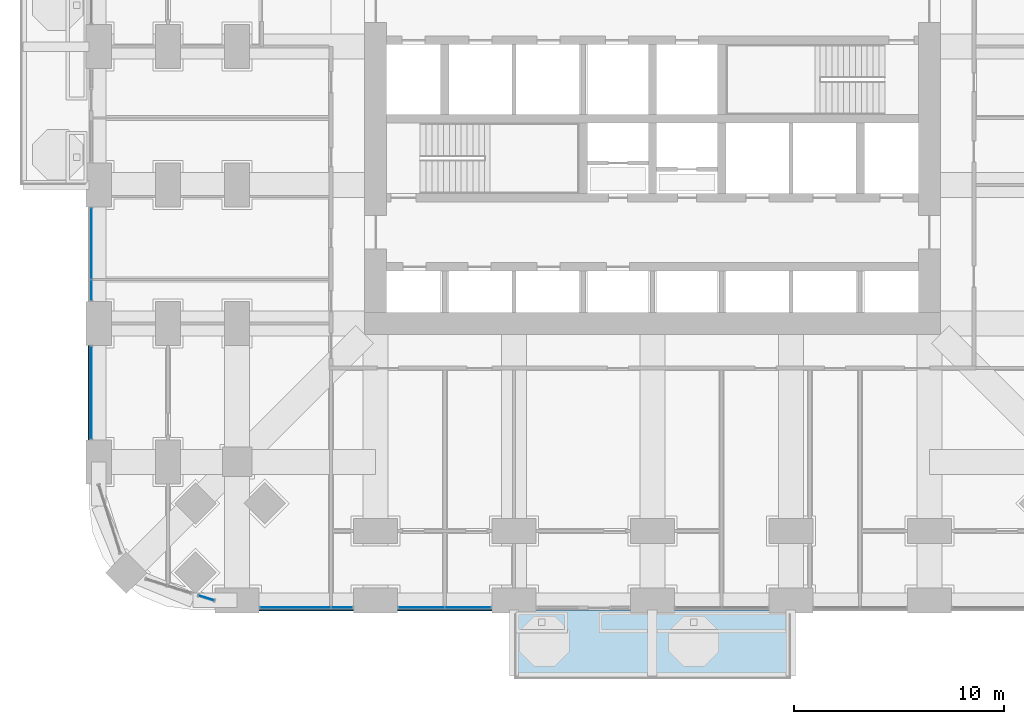
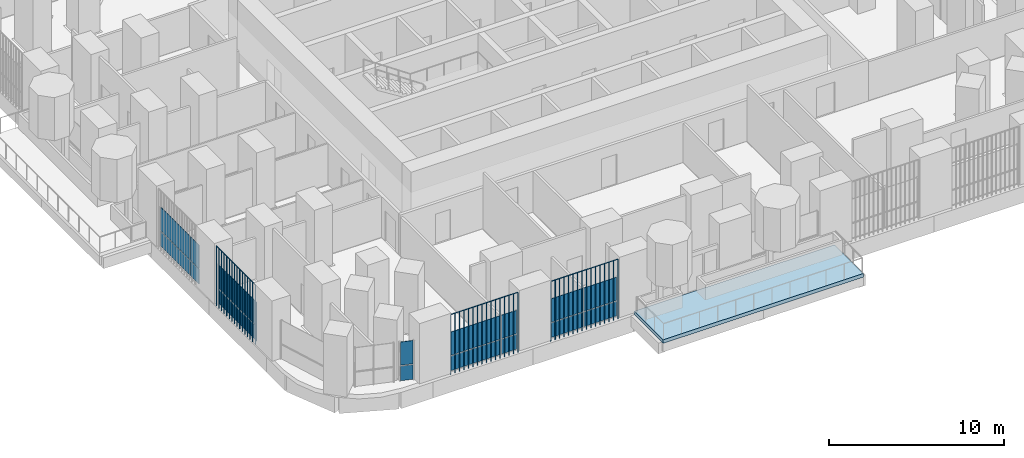
# One storey, part 11 of 26: 19 plates, 1 slab, 5 elements without a shape of their own.
"""IFC4 building model written with IfcOpenShell, lengths in metres."""

from ifc_helpers import new_model, si_unit, direction, frame, origin, origin_2d, place, context, subcontext, project, spatial, polyline, rectangle, outline, extrude, material, layer, layer_set, type_object, element, aggregate, save


model = new_model("IFC4")

# Units and contexts
model_context = context("Model", 3, precision=1e-05, world=origin(), true_north=direction((0.0, 1.0)))
body_context = subcontext(model_context, "Body", "Model", "MODEL_VIEW")
ifc_project = project(units=[si_unit("LENGTHUNIT", "METRE"), si_unit("AREAUNIT", "SQUARE_METRE"), si_unit("VOLUMEUNIT", "CUBIC_METRE"), si_unit("PLANEANGLEUNIT", "RADIAN"), si_unit("MASSUNIT", "GRAM", prefix="KILO")], contexts=[model_context])

# Site, building, storey
site_placement = place(None, origin())
site = spatial("IfcSite", under=ifc_project, at=site_placement, CompositionType="ELEMENT")
building_placement = place(site_placement, origin())
building = spatial("IfcBuilding", under=site, at=building_placement, Name="Cobogo Forest Laboratory Tower", CompositionType="ELEMENT")
storey_placement = place(building_placement, frame((0.0, 0.0, 42.300048828125)))
storey = spatial("IfcBuildingStorey", under=building, at=storey_placement, Name="L09", CompositionType="ELEMENT", Elevation=42.300048828125)

# Slab
ifc_material_1 = material(Name="Concrete HA-40 (C40/50)", Category="concrete")
ifc_layer_1 = layer(ifc_material_1, 0.25)
ifc_layer_set_1 = layer_set([ifc_layer_1], Name="Balcony slab 250")
slab_type = type_object("IfcSlabType", Name="Balcony slab 250", PredefinedType="FLOOR", material=ifc_layer_set_1)
slab_placement = place(storey_placement, frame((0.0, 0.0, -0.25)))
element("IfcSlab", 1, at=slab_placement, inside=storey, type_object=slab_type, Name="Balcony BAL-S1 L09", PredefinedType="FLOOR", context=body_context, shape_type="SweptSolid", body=[
    extrude(outline(polyline([(19.800048828125, -3.75), (33.0, -3.75), (33.0, -0.449951171875), (19.800048828125, -0.449951171875), (19.800048828125, -3.75)])), origin(), (0.0, 0.0, 1.0), 0.25),
])

# Curtain wall, plates
ifc_material_2 = material(Name="Aluminium curtain wall", Category="aluminium")
curtain_wall_type = type_object("IfcCurtainWallType", Name="CW-1 unitised curtain wall, clear glazing, laboratory floors zones A and B", PredefinedType="USERDEFINED", material=ifc_material_2)
curtain_wall_1_placement = place(storey_placement, origin())
curtain_wall_1 = element("IfcCurtainWall", 2, at=curtain_wall_1_placement, inside=storey, type_object=curtain_wall_type, Name="Curtain wall 01 L09", ObjectType="UNITISED CURTAIN WALL", PredefinedType="USERDEFINED")
ifc_material_3 = material(Name="Clear insulated glass", Category="glass")
ifc_layer_2 = layer(ifc_material_3, 0.028076171875)
ifc_layer_set_2 = layer_set([ifc_layer_2], Name="GP-1 clear insulated glass unit 28")
plate_type_1 = type_object("IfcPlateType", Name="GP-1 clear insulated glass unit 28", PredefinedType="CURTAIN_PANEL", material=ifc_layer_set_2)
plate_1_placement = place(storey_placement, frame((9.37744140625, -0.35009765625, 0.0), z_axis=(0.0, 0.0, 1.0), x_axis=(1.0, 0.0, 0.0)))
plate_1 = element("IfcPlate", 3, at=plate_1_placement, type_object=plate_type_1, Name="CW-1 panel 1.1", PredefinedType="CURTAIN_PANEL", context=body_context, shape_type="SweptSolid", body=[
    extrude(rectangle(XDim=3.3349609375, YDim=0.028076171875, at=origin_2d()), origin(), (0.0, 0.0, 1.0), 1.02001953125),
])
plate_2_placement = place(storey_placement, frame((9.37744140625, -0.35009765625, 1.079833984375), z_axis=(0.0, 0.0, 1.0), x_axis=(1.0, 0.0, 0.0)))
plate_2 = element("IfcPlate", 4, at=plate_2_placement, type_object=plate_type_1, Name="CW-1 panel 1.2", PredefinedType="CURTAIN_PANEL", context=body_context, shape_type="SweptSolid", body=[
    extrude(rectangle(XDim=3.3349609375, YDim=0.028076171875, at=origin_2d()), origin(), (0.0, 0.0, 1.0), 1.6201171875),
])
plate_3_placement = place(storey_placement, frame((11.597412109375, -0.35009765625, 0.0), z_axis=(0.0, 0.0, 1.0), x_axis=(1.0, 0.0, 0.0)))
plate_3 = element("IfcPlate", 5, at=plate_3_placement, type_object=plate_type_1, Name="CW-1 panel 2.1", PredefinedType="CURTAIN_PANEL", context=body_context, shape_type="SweptSolid", body=[
    extrude(rectangle(XDim=0.985107421875, YDim=0.028076171875, at=origin_2d()), origin(), (0.0, 0.0, 1.0), 1.02001953125),
])
plate_4_placement = place(storey_placement, frame((11.597412109375, -0.35009765625, 1.079833984375), z_axis=(0.0, 0.0, 1.0), x_axis=(1.0, 0.0, 0.0)))
plate_4 = element("IfcPlate", 6, at=plate_4_placement, type_object=plate_type_1, Name="CW-1 panel 2.2", PredefinedType="CURTAIN_PANEL", context=body_context, shape_type="SweptSolid", body=[
    extrude(rectangle(XDim=0.985107421875, YDim=0.028076171875, at=origin_2d()), origin(), (0.0, 0.0, 1.0), 1.6201171875),
])
aggregate(curtain_wall_1, [plate_1, plate_2, plate_3, plate_4])

curtain_wall_2_placement = place(storey_placement, origin())
curtain_wall_2 = element("IfcCurtainWall", 7, at=curtain_wall_2_placement, inside=storey, type_object=curtain_wall_type, Name="Curtain wall 02 L09", ObjectType="UNITISED CURTAIN WALL", PredefinedType="USERDEFINED")
plate_5_placement = place(storey_placement, frame((15.389892578125, -0.35009765625, 0.0), z_axis=(0.0, 0.0, 1.0), x_axis=(1.0, 0.0, 0.0)))
plate_5 = element("IfcPlate", 8, at=plate_5_placement, type_object=plate_type_1, Name="CW-1 panel 1.1", PredefinedType="CURTAIN_PANEL", context=body_context, shape_type="SweptSolid", body=[
    extrude(rectangle(XDim=2.159912109375, YDim=0.028076171875, at=origin_2d()), origin(), (0.0, 0.0, 1.0), 1.02001953125),
])
plate_6_placement = place(storey_placement, frame((15.389892578125, -0.35009765625, 1.079833984375), z_axis=(0.0, 0.0, 1.0), x_axis=(1.0, 0.0, 0.0)))
plate_6 = element("IfcPlate", 9, at=plate_6_placement, type_object=plate_type_1, Name="CW-1 panel 1.2", PredefinedType="CURTAIN_PANEL", context=body_context, shape_type="SweptSolid", body=[
    extrude(rectangle(XDim=2.159912109375, YDim=0.028076171875, at=origin_2d()), origin(), (0.0, 0.0, 1.0), 1.6201171875),
])
plate_7_placement = place(storey_placement, frame((17.610107421875, -0.35009765625, 0.0), z_axis=(0.0, 0.0, 1.0), x_axis=(1.0, 0.0, 0.0)))
plate_7 = element("IfcPlate", 10, at=plate_7_placement, type_object=plate_type_1, Name="CW-1 panel 2.1", PredefinedType="CURTAIN_PANEL", context=body_context, shape_type="SweptSolid", body=[
    extrude(rectangle(XDim=2.159912109375, YDim=0.028076171875, at=origin_2d()), origin(), (0.0, 0.0, 1.0), 1.02001953125),
])
plate_8_placement = place(storey_placement, frame((17.610107421875, -0.35009765625, 1.079833984375), z_axis=(0.0, 0.0, 1.0), x_axis=(1.0, 0.0, 0.0)))
plate_8 = element("IfcPlate", 11, at=plate_8_placement, type_object=plate_type_1, Name="CW-1 panel 2.2", PredefinedType="CURTAIN_PANEL", context=body_context, shape_type="SweptSolid", body=[
    extrude(rectangle(XDim=2.159912109375, YDim=0.028076171875, at=origin_2d()), origin(), (0.0, 0.0, 1.0), 1.6201171875),
])
aggregate(curtain_wall_2, [plate_5, plate_6, plate_7, plate_8])

curtain_wall_3_placement = place(storey_placement, origin())
curtain_wall_3 = element("IfcCurtainWall", 12, at=curtain_wall_3_placement, inside=storey, type_object=curtain_wall_type, Name="Curtain wall 30 L09", ObjectType="UNITISED CURTAIN WALL", PredefinedType="USERDEFINED")
plate_9_placement = place(storey_placement, frame((-0.35009765625, 17.010009765625, 0.0), z_axis=(0.0, 0.0, 1.0), x_axis=(0.0, -1.0, 0.0)))
plate_9 = element("IfcPlate", 13, at=plate_9_placement, type_object=plate_type_1, Name="CW-1 panel 1.1", PredefinedType="CURTAIN_PANEL", context=body_context, shape_type="SweptSolid", body=[
    extrude(rectangle(XDim=3.360107421875, YDim=0.028076171875, at=origin_2d()), origin(), (0.0, 0.0, 1.0), 1.02001953125),
])
plate_10_placement = place(storey_placement, frame((-0.35009765625, 17.010009765625, 1.079833984375), z_axis=(0.0, 0.0, 1.0), x_axis=(0.0, -1.0, 0.0)))
plate_10 = element("IfcPlate", 14, at=plate_10_placement, type_object=plate_type_1, Name="CW-1 panel 1.2", PredefinedType="CURTAIN_PANEL", context=body_context, shape_type="SweptSolid", body=[
    extrude(rectangle(XDim=3.360107421875, YDim=0.028076171875, at=origin_2d()), origin(), (0.0, 0.0, 1.0), 1.6201171875),
])
plate_11_placement = place(storey_placement, frame((-0.35009765625, 14.7900390625, 0.0), z_axis=(0.0, 0.0, 1.0), x_axis=(0.0, -1.0, 0.0)))
plate_11 = element("IfcPlate", 15, at=plate_11_placement, type_object=plate_type_1, Name="CW-1 panel 2.1", PredefinedType="CURTAIN_PANEL", context=body_context, shape_type="SweptSolid", body=[
    extrude(rectangle(XDim=0.9599609375, YDim=0.028076171875, at=origin_2d()), origin(), (0.0, 0.0, 1.0), 1.02001953125),
])
plate_12_placement = place(storey_placement, frame((-0.35009765625, 14.7900390625, 1.079833984375), z_axis=(0.0, 0.0, 1.0), x_axis=(0.0, -1.0, 0.0)))
plate_12 = element("IfcPlate", 16, at=plate_12_placement, type_object=plate_type_1, Name="CW-1 panel 2.2", PredefinedType="CURTAIN_PANEL", context=body_context, shape_type="SweptSolid", body=[
    extrude(rectangle(XDim=0.9599609375, YDim=0.028076171875, at=origin_2d()), origin(), (0.0, 0.0, 1.0), 1.6201171875),
])
aggregate(curtain_wall_3, [plate_9, plate_10, plate_11, plate_12])

curtain_wall_4_placement = place(storey_placement, origin())
curtain_wall_4 = element("IfcCurtainWall", 17, at=curtain_wall_4_placement, inside=storey, type_object=curtain_wall_type, Name="Curtain wall 31 L09", ObjectType="UNITISED CURTAIN WALL", PredefinedType="USERDEFINED")
plate_13_placement = place(storey_placement, frame((-0.35009765625, 9.89990234375, 0.0), z_axis=(0.0, 0.0, 1.0), x_axis=(0.0, -1.0, 0.0)))
plate_13 = element("IfcPlate", 18, at=plate_13_placement, type_object=plate_type_1, Name="CW-1 panel 1.1", PredefinedType="CURTAIN_PANEL", context=body_context, shape_type="SweptSolid", body=[
    extrude(rectangle(XDim=4.3798828125, YDim=0.028076171875, at=origin_2d()), origin(), (0.0, 0.0, 1.0), 1.02001953125),
])
plate_14_placement = place(storey_placement, frame((-0.35009765625, 9.89990234375, 1.079833984375), z_axis=(0.0, 0.0, 1.0), x_axis=(0.0, -1.0, 0.0)))
plate_14 = element("IfcPlate", 19, at=plate_14_placement, type_object=plate_type_1, Name="CW-1 panel 1.2", PredefinedType="CURTAIN_PANEL", context=body_context, shape_type="SweptSolid", body=[
    extrude(rectangle(XDim=4.3798828125, YDim=0.028076171875, at=origin_2d()), origin(), (0.0, 0.0, 1.0), 1.6201171875),
])
aggregate(curtain_wall_4, [plate_13, plate_14])

curtain_wall_5_placement = place(storey_placement, origin())
curtain_wall_5 = element("IfcCurtainWall", 20, at=curtain_wall_5_placement, inside=storey, type_object=curtain_wall_type, Name="Curtain wall 34 L09", ObjectType="UNITISED CURTAIN WALL", PredefinedType="USERDEFINED")
plate_15_placement = place(storey_placement, frame((5.134033203125, 0.113037109375, 0.0), z_axis=(0.0, 0.0, 1.0), x_axis=(0.953581504428, -0.301135043481, 0.0)))
plate_15 = element("IfcPlate", 21, at=plate_15_placement, type_object=plate_type_1, Name="CW-1 panel 1.1", PredefinedType="CURTAIN_PANEL", context=body_context, shape_type="SweptSolid", body=[
    extrude(rectangle(XDim=0.75244140625, YDim=0.028076171875, at=origin_2d()), origin(), (0.0, 0.0, 1.0), 1.02001953125),
])
plate_16_placement = place(storey_placement, frame((5.134033203125, 0.113037109375, 1.079833984375), z_axis=(0.0, 0.0, 1.0), x_axis=(0.953581504428, -0.301135043481, 0.0)))
plate_16 = element("IfcPlate", 22, at=plate_16_placement, type_object=plate_type_1, Name="CW-1 panel 1.2", PredefinedType="CURTAIN_PANEL", context=body_context, shape_type="SweptSolid", body=[
    extrude(rectangle(XDim=0.75244140625, YDim=0.028076171875, at=origin_2d()), origin(), (0.0, 0.0, 1.0), 1.6201171875),
])
aggregate(curtain_wall_5, [plate_15, plate_16])

# Plates
ifc_material_4 = material(Name="Terracotta", Category="masonry")
plate_type_2 = type_object("IfcPlateType", Name="TB1 terracotta baguette screen", PredefinedType="USERDEFINED", material=ifc_material_4)
plate_17_placement = place(storey_placement, frame((7.68115234375, -0.477783203125, -0.150146484375)))
element("IfcPlate", 23, at=plate_17_placement, inside=storey, type_object=plate_type_2, Name="Baguette screen S1 L09", ObjectType="BAGUETTE SCREEN", PredefinedType="USERDEFINED", context=body_context, shape_type="SweptSolid", body=[
    extrude(outline(polyline([(0.02880859375, 0.011962890625), (0.011962890625, 0.02880859375), (-0.011962890625, 0.02880859375), (-0.02880859375, 0.011962890625), (-0.02880859375, -0.011962890625), (-0.011962890625, -0.02880859375), (0.011962890625, -0.02880859375), (0.02880859375, -0.011962890625), (0.02880859375, 0.011962890625)])), frame((0.0, 0.0, 4.168701171875), z_axis=(1.0, 0.0, 0.0), x_axis=(0.0, 1.0, 0.0)), (0.0, 0.0, 1.0), 4.4375),
    extrude(outline(polyline([(0.02880859375, 0.011962890625), (0.011962890625, 0.02880859375), (-0.011962890625, 0.02880859375), (-0.02880859375, 0.011962890625), (-0.02880859375, -0.011962890625), (-0.011962890625, -0.02880859375), (0.011962890625, -0.02880859375), (0.02880859375, -0.011962890625), (0.02880859375, 0.011962890625)])), origin(), (0.0, 0.0, 1.0), 4.137451171875),
    extrude(outline(polyline([(0.02880859375, 0.011962890625), (0.011962890625, 0.02880859375), (-0.011962890625, 0.02880859375), (-0.02880859375, 0.011962890625), (-0.02880859375, -0.011962890625), (-0.011962890625, -0.02880859375), (0.011962890625, -0.02880859375), (0.02880859375, -0.011962890625), (0.02880859375, 0.011962890625)])), frame((0.2958984375, 0.0, 0.0)), (0.0, 0.0, 1.0), 4.137451171875),
    extrude(outline(polyline([(0.02880859375, 0.011962890625), (0.011962890625, 0.02880859375), (-0.011962890625, 0.02880859375), (-0.02880859375, 0.011962890625), (-0.02880859375, -0.011962890625), (-0.011962890625, -0.02880859375), (0.011962890625, -0.02880859375), (0.02880859375, -0.011962890625), (0.02880859375, 0.011962890625)])), frame((0.591552734375, 0.0, 0.0)), (0.0, 0.0, 1.0), 4.137451171875),
    extrude(outline(polyline([(0.02880859375, 0.011962890625), (0.011962890625, 0.02880859375), (-0.011962890625, 0.02880859375), (-0.02880859375, 0.011962890625), (-0.02880859375, -0.011962890625), (-0.011962890625, -0.02880859375), (0.011962890625, -0.02880859375), (0.02880859375, -0.011962890625), (0.02880859375, 0.011962890625)])), frame((0.887451171875, 0.0, 0.0)), (0.0, 0.0, 1.0), 4.137451171875),
    extrude(outline(polyline([(0.02880859375, 0.011962890625), (0.011962890625, 0.02880859375), (-0.011962890625, 0.02880859375), (-0.02880859375, 0.011962890625), (-0.02880859375, -0.011962890625), (-0.011962890625, -0.02880859375), (0.011962890625, -0.02880859375), (0.02880859375, -0.011962890625), (0.02880859375, 0.011962890625)])), frame((1.183349609375, 0.0, 0.0)), (0.0, 0.0, 1.0), 4.137451171875),
    extrude(outline(polyline([(0.02880859375, 0.011962890625), (0.011962890625, 0.02880859375), (-0.011962890625, 0.02880859375), (-0.02880859375, 0.011962890625), (-0.02880859375, -0.011962890625), (-0.011962890625, -0.02880859375), (0.011962890625, -0.02880859375), (0.02880859375, -0.011962890625), (0.02880859375, 0.011962890625)])), frame((1.479248046875, 0.0, 0.0)), (0.0, 0.0, 1.0), 4.137451171875),
    extrude(outline(polyline([(0.02880859375, 0.011962890625), (0.011962890625, 0.02880859375), (-0.011962890625, 0.02880859375), (-0.02880859375, 0.011962890625), (-0.02880859375, -0.011962890625), (-0.011962890625, -0.02880859375), (0.011962890625, -0.02880859375), (0.02880859375, -0.011962890625), (0.02880859375, 0.011962890625)])), frame((1.77490234375, 0.0, 0.0)), (0.0, 0.0, 1.0), 4.137451171875),
    extrude(outline(polyline([(0.02880859375, 0.011962890625), (0.011962890625, 0.02880859375), (-0.011962890625, 0.02880859375), (-0.02880859375, 0.011962890625), (-0.02880859375, -0.011962890625), (-0.011962890625, -0.02880859375), (0.011962890625, -0.02880859375), (0.02880859375, -0.011962890625), (0.02880859375, 0.011962890625)])), frame((2.07080078125, 0.0, 0.0)), (0.0, 0.0, 1.0), 4.137451171875),
    extrude(outline(polyline([(0.02880859375, 0.011962890625), (0.011962890625, 0.02880859375), (-0.011962890625, 0.02880859375), (-0.02880859375, 0.011962890625), (-0.02880859375, -0.011962890625), (-0.011962890625, -0.02880859375), (0.011962890625, -0.02880859375), (0.02880859375, -0.011962890625), (0.02880859375, 0.011962890625)])), frame((2.36669921875, 0.0, 0.0)), (0.0, 0.0, 1.0), 4.137451171875),
    extrude(outline(polyline([(0.02880859375, 0.011962890625), (0.011962890625, 0.02880859375), (-0.011962890625, 0.02880859375), (-0.02880859375, 0.011962890625), (-0.02880859375, -0.011962890625), (-0.011962890625, -0.02880859375), (0.011962890625, -0.02880859375), (0.02880859375, -0.011962890625), (0.02880859375, 0.011962890625)])), frame((2.66259765625, 0.0, 0.0)), (0.0, 0.0, 1.0), 4.137451171875),
    extrude(outline(polyline([(0.02880859375, 0.011962890625), (0.011962890625, 0.02880859375), (-0.011962890625, 0.02880859375), (-0.02880859375, 0.011962890625), (-0.02880859375, -0.011962890625), (-0.011962890625, -0.02880859375), (0.011962890625, -0.02880859375), (0.02880859375, -0.011962890625), (0.02880859375, 0.011962890625)])), frame((2.958251953125, 0.0, 0.0)), (0.0, 0.0, 1.0), 4.137451171875),
    extrude(outline(polyline([(0.02880859375, 0.011962890625), (0.011962890625, 0.02880859375), (-0.011962890625, 0.02880859375), (-0.02880859375, 0.011962890625), (-0.02880859375, -0.011962890625), (-0.011962890625, -0.02880859375), (0.011962890625, -0.02880859375), (0.02880859375, -0.011962890625), (0.02880859375, 0.011962890625)])), frame((3.254150390625, 0.0, 0.0)), (0.0, 0.0, 1.0), 4.137451171875),
    extrude(outline(polyline([(0.02880859375, 0.011962890625), (0.011962890625, 0.02880859375), (-0.011962890625, 0.02880859375), (-0.02880859375, 0.011962890625), (-0.02880859375, -0.011962890625), (-0.011962890625, -0.02880859375), (0.011962890625, -0.02880859375), (0.02880859375, -0.011962890625), (0.02880859375, 0.011962890625)])), frame((3.550048828125, 0.0, 0.0)), (0.0, 0.0, 1.0), 4.137451171875),
    extrude(outline(polyline([(0.02880859375, 0.011962890625), (0.011962890625, 0.02880859375), (-0.011962890625, 0.02880859375), (-0.02880859375, 0.011962890625), (-0.02880859375, -0.011962890625), (-0.011962890625, -0.02880859375), (0.011962890625, -0.02880859375), (0.02880859375, -0.011962890625), (0.02880859375, 0.011962890625)])), frame((3.845947265625, 0.0, 0.0)), (0.0, 0.0, 1.0), 4.137451171875),
    extrude(outline(polyline([(0.02880859375, 0.011962890625), (0.011962890625, 0.02880859375), (-0.011962890625, 0.02880859375), (-0.02880859375, 0.011962890625), (-0.02880859375, -0.011962890625), (-0.011962890625, -0.02880859375), (0.011962890625, -0.02880859375), (0.02880859375, -0.011962890625), (0.02880859375, 0.011962890625)])), frame((4.1416015625, 0.0, 0.0)), (0.0, 0.0, 1.0), 4.137451171875),
    extrude(outline(polyline([(0.02880859375, 0.011962890625), (0.011962890625, 0.02880859375), (-0.011962890625, 0.02880859375), (-0.02880859375, 0.011962890625), (-0.02880859375, -0.011962890625), (-0.011962890625, -0.02880859375), (0.011962890625, -0.02880859375), (0.02880859375, -0.011962890625), (0.02880859375, 0.011962890625)])), frame((4.4375, 0.0, 0.0)), (0.0, 0.0, 1.0), 4.137451171875),
])
plate_18_placement = place(storey_placement, frame((14.28125, -0.477783203125, -0.150146484375)))
element("IfcPlate", 24, at=plate_18_placement, inside=storey, type_object=plate_type_2, Name="Baguette screen S2 L09", ObjectType="BAGUETTE SCREEN", PredefinedType="USERDEFINED", context=body_context, shape_type="SweptSolid", body=[
    extrude(outline(polyline([(0.02880859375, 0.011962890625), (0.011962890625, 0.02880859375), (-0.011962890625, 0.02880859375), (-0.02880859375, 0.011962890625), (-0.02880859375, -0.011962890625), (-0.011962890625, -0.02880859375), (0.011962890625, -0.02880859375), (0.02880859375, -0.011962890625), (0.02880859375, 0.011962890625)])), frame((0.0, 0.0, 4.168701171875), z_axis=(1.0, 0.0, 0.0), x_axis=(0.0, 1.0, 0.0)), (0.0, 0.0, 1.0), 4.4375),
    extrude(outline(polyline([(0.02880859375, 0.011962890625), (0.011962890625, 0.02880859375), (-0.011962890625, 0.02880859375), (-0.02880859375, 0.011962890625), (-0.02880859375, -0.011962890625), (-0.011962890625, -0.02880859375), (0.011962890625, -0.02880859375), (0.02880859375, -0.011962890625), (0.02880859375, 0.011962890625)])), origin(), (0.0, 0.0, 1.0), 4.137451171875),
    extrude(outline(polyline([(0.02880859375, 0.011962890625), (0.011962890625, 0.02880859375), (-0.011962890625, 0.02880859375), (-0.02880859375, 0.011962890625), (-0.02880859375, -0.011962890625), (-0.011962890625, -0.02880859375), (0.011962890625, -0.02880859375), (0.02880859375, -0.011962890625), (0.02880859375, 0.011962890625)])), frame((0.2958984375, 0.0, 0.0)), (0.0, 0.0, 1.0), 4.137451171875),
    extrude(outline(polyline([(0.02880859375, 0.011962890625), (0.011962890625, 0.02880859375), (-0.011962890625, 0.02880859375), (-0.02880859375, 0.011962890625), (-0.02880859375, -0.011962890625), (-0.011962890625, -0.02880859375), (0.011962890625, -0.02880859375), (0.02880859375, -0.011962890625), (0.02880859375, 0.011962890625)])), frame((0.591552734375, 0.0, 0.0)), (0.0, 0.0, 1.0), 4.137451171875),
    extrude(outline(polyline([(0.02880859375, 0.011962890625), (0.011962890625, 0.02880859375), (-0.011962890625, 0.02880859375), (-0.02880859375, 0.011962890625), (-0.02880859375, -0.011962890625), (-0.011962890625, -0.02880859375), (0.011962890625, -0.02880859375), (0.02880859375, -0.011962890625), (0.02880859375, 0.011962890625)])), frame((0.887451171875, 0.0, 0.0)), (0.0, 0.0, 1.0), 4.137451171875),
    extrude(outline(polyline([(0.02880859375, 0.011962890625), (0.011962890625, 0.02880859375), (-0.011962890625, 0.02880859375), (-0.02880859375, 0.011962890625), (-0.02880859375, -0.011962890625), (-0.011962890625, -0.02880859375), (0.011962890625, -0.02880859375), (0.02880859375, -0.011962890625), (0.02880859375, 0.011962890625)])), frame((1.183349609375, 0.0, 0.0)), (0.0, 0.0, 1.0), 4.137451171875),
    extrude(outline(polyline([(0.02880859375, 0.011962890625), (0.011962890625, 0.02880859375), (-0.011962890625, 0.02880859375), (-0.02880859375, 0.011962890625), (-0.02880859375, -0.011962890625), (-0.011962890625, -0.02880859375), (0.011962890625, -0.02880859375), (0.02880859375, -0.011962890625), (0.02880859375, 0.011962890625)])), frame((1.479248046875, 0.0, 0.0)), (0.0, 0.0, 1.0), 4.137451171875),
    extrude(outline(polyline([(0.02880859375, 0.011962890625), (0.011962890625, 0.02880859375), (-0.011962890625, 0.02880859375), (-0.02880859375, 0.011962890625), (-0.02880859375, -0.011962890625), (-0.011962890625, -0.02880859375), (0.011962890625, -0.02880859375), (0.02880859375, -0.011962890625), (0.02880859375, 0.011962890625)])), frame((1.77490234375, 0.0, 0.0)), (0.0, 0.0, 1.0), 4.137451171875),
    extrude(outline(polyline([(0.02880859375, 0.011962890625), (0.011962890625, 0.02880859375), (-0.011962890625, 0.02880859375), (-0.02880859375, 0.011962890625), (-0.02880859375, -0.011962890625), (-0.011962890625, -0.02880859375), (0.011962890625, -0.02880859375), (0.02880859375, -0.011962890625), (0.02880859375, 0.011962890625)])), frame((2.07080078125, 0.0, 0.0)), (0.0, 0.0, 1.0), 4.137451171875),
    extrude(outline(polyline([(0.02880859375, 0.011962890625), (0.011962890625, 0.02880859375), (-0.011962890625, 0.02880859375), (-0.02880859375, 0.011962890625), (-0.02880859375, -0.011962890625), (-0.011962890625, -0.02880859375), (0.011962890625, -0.02880859375), (0.02880859375, -0.011962890625), (0.02880859375, 0.011962890625)])), frame((2.36669921875, 0.0, 0.0)), (0.0, 0.0, 1.0), 4.137451171875),
    extrude(outline(polyline([(0.02880859375, 0.011962890625), (0.011962890625, 0.02880859375), (-0.011962890625, 0.02880859375), (-0.02880859375, 0.011962890625), (-0.02880859375, -0.011962890625), (-0.011962890625, -0.02880859375), (0.011962890625, -0.02880859375), (0.02880859375, -0.011962890625), (0.02880859375, 0.011962890625)])), frame((2.66259765625, 0.0, 0.0)), (0.0, 0.0, 1.0), 4.137451171875),
    extrude(outline(polyline([(0.02880859375, 0.011962890625), (0.011962890625, 0.02880859375), (-0.011962890625, 0.02880859375), (-0.02880859375, 0.011962890625), (-0.02880859375, -0.011962890625), (-0.011962890625, -0.02880859375), (0.011962890625, -0.02880859375), (0.02880859375, -0.011962890625), (0.02880859375, 0.011962890625)])), frame((2.958251953125, 0.0, 0.0)), (0.0, 0.0, 1.0), 4.137451171875),
    extrude(outline(polyline([(0.02880859375, 0.011962890625), (0.011962890625, 0.02880859375), (-0.011962890625, 0.02880859375), (-0.02880859375, 0.011962890625), (-0.02880859375, -0.011962890625), (-0.011962890625, -0.02880859375), (0.011962890625, -0.02880859375), (0.02880859375, -0.011962890625), (0.02880859375, 0.011962890625)])), frame((3.254150390625, 0.0, 0.0)), (0.0, 0.0, 1.0), 4.137451171875),
    extrude(outline(polyline([(0.02880859375, 0.011962890625), (0.011962890625, 0.02880859375), (-0.011962890625, 0.02880859375), (-0.02880859375, 0.011962890625), (-0.02880859375, -0.011962890625), (-0.011962890625, -0.02880859375), (0.011962890625, -0.02880859375), (0.02880859375, -0.011962890625), (0.02880859375, 0.011962890625)])), frame((3.550048828125, 0.0, 0.0)), (0.0, 0.0, 1.0), 4.137451171875),
    extrude(outline(polyline([(0.02880859375, 0.011962890625), (0.011962890625, 0.02880859375), (-0.011962890625, 0.02880859375), (-0.02880859375, 0.011962890625), (-0.02880859375, -0.011962890625), (-0.011962890625, -0.02880859375), (0.011962890625, -0.02880859375), (0.02880859375, -0.011962890625), (0.02880859375, 0.011962890625)])), frame((3.845947265625, 0.0, 0.0)), (0.0, 0.0, 1.0), 4.137451171875),
    extrude(outline(polyline([(0.02880859375, 0.011962890625), (0.011962890625, 0.02880859375), (-0.011962890625, 0.02880859375), (-0.02880859375, 0.011962890625), (-0.02880859375, -0.011962890625), (-0.011962890625, -0.02880859375), (0.011962890625, -0.02880859375), (0.02880859375, -0.011962890625), (0.02880859375, 0.011962890625)])), frame((4.1416015625, 0.0, 0.0)), (0.0, 0.0, 1.0), 4.137451171875),
    extrude(outline(polyline([(0.02880859375, 0.011962890625), (0.011962890625, 0.02880859375), (-0.011962890625, 0.02880859375), (-0.02880859375, 0.011962890625), (-0.02880859375, -0.011962890625), (-0.011962890625, -0.02880859375), (0.011962890625, -0.02880859375), (0.02880859375, -0.011962890625), (0.02880859375, 0.011962890625)])), frame((4.4375, 0.0, 0.0)), (0.0, 0.0, 1.0), 4.137451171875),
])
plate_19_placement = place(storey_placement, frame((-0.477783203125, 7.68115234375, -0.150146484375)))
element("IfcPlate", 25, at=plate_19_placement, inside=storey, type_object=plate_type_2, Name="Baguette screen W1 L09", ObjectType="BAGUETTE SCREEN", PredefinedType="USERDEFINED", context=body_context, shape_type="SweptSolid", body=[
    extrude(outline(polyline([(0.02880859375, 0.011962890625), (0.011962890625, 0.02880859375), (-0.011962890625, 0.02880859375), (-0.02880859375, 0.011962890625), (-0.02880859375, -0.011962890625), (-0.011962890625, -0.02880859375), (0.011962890625, -0.02880859375), (0.02880859375, -0.011962890625), (0.02880859375, 0.011962890625)])), frame((0.0, 0.0, 4.168701171875), z_axis=(0.0, 1.0, 0.0), x_axis=(-1.0, 0.0, 0.0)), (0.0, 0.0, 1.0), 4.4375),
    extrude(outline(polyline([(0.02880859375, 0.011962890625), (0.011962890625, 0.02880859375), (-0.011962890625, 0.02880859375), (-0.02880859375, 0.011962890625), (-0.02880859375, -0.011962890625), (-0.011962890625, -0.02880859375), (0.011962890625, -0.02880859375), (0.02880859375, -0.011962890625), (0.02880859375, 0.011962890625)])), origin(), (0.0, 0.0, 1.0), 4.137451171875),
    extrude(outline(polyline([(0.02880859375, 0.011962890625), (0.011962890625, 0.02880859375), (-0.011962890625, 0.02880859375), (-0.02880859375, 0.011962890625), (-0.02880859375, -0.011962890625), (-0.011962890625, -0.02880859375), (0.011962890625, -0.02880859375), (0.02880859375, -0.011962890625), (0.02880859375, 0.011962890625)])), frame((0.0, 0.2958984375, 0.0)), (0.0, 0.0, 1.0), 4.137451171875),
    extrude(outline(polyline([(0.02880859375, 0.011962890625), (0.011962890625, 0.02880859375), (-0.011962890625, 0.02880859375), (-0.02880859375, 0.011962890625), (-0.02880859375, -0.011962890625), (-0.011962890625, -0.02880859375), (0.011962890625, -0.02880859375), (0.02880859375, -0.011962890625), (0.02880859375, 0.011962890625)])), frame((0.0, 0.591552734375, 0.0)), (0.0, 0.0, 1.0), 4.137451171875),
    extrude(outline(polyline([(0.02880859375, 0.011962890625), (0.011962890625, 0.02880859375), (-0.011962890625, 0.02880859375), (-0.02880859375, 0.011962890625), (-0.02880859375, -0.011962890625), (-0.011962890625, -0.02880859375), (0.011962890625, -0.02880859375), (0.02880859375, -0.011962890625), (0.02880859375, 0.011962890625)])), frame((0.0, 0.887451171875, 0.0)), (0.0, 0.0, 1.0), 4.137451171875),
    extrude(outline(polyline([(0.02880859375, 0.011962890625), (0.011962890625, 0.02880859375), (-0.011962890625, 0.02880859375), (-0.02880859375, 0.011962890625), (-0.02880859375, -0.011962890625), (-0.011962890625, -0.02880859375), (0.011962890625, -0.02880859375), (0.02880859375, -0.011962890625), (0.02880859375, 0.011962890625)])), frame((0.0, 1.183349609375, 0.0)), (0.0, 0.0, 1.0), 4.137451171875),
    extrude(outline(polyline([(0.02880859375, 0.011962890625), (0.011962890625, 0.02880859375), (-0.011962890625, 0.02880859375), (-0.02880859375, 0.011962890625), (-0.02880859375, -0.011962890625), (-0.011962890625, -0.02880859375), (0.011962890625, -0.02880859375), (0.02880859375, -0.011962890625), (0.02880859375, 0.011962890625)])), frame((0.0, 1.479248046875, 0.0)), (0.0, 0.0, 1.0), 4.137451171875),
    extrude(outline(polyline([(0.02880859375, 0.011962890625), (0.011962890625, 0.02880859375), (-0.011962890625, 0.02880859375), (-0.02880859375, 0.011962890625), (-0.02880859375, -0.011962890625), (-0.011962890625, -0.02880859375), (0.011962890625, -0.02880859375), (0.02880859375, -0.011962890625), (0.02880859375, 0.011962890625)])), frame((0.0, 1.77490234375, 0.0)), (0.0, 0.0, 1.0), 4.137451171875),
    extrude(outline(polyline([(0.02880859375, 0.011962890625), (0.011962890625, 0.02880859375), (-0.011962890625, 0.02880859375), (-0.02880859375, 0.011962890625), (-0.02880859375, -0.011962890625), (-0.011962890625, -0.02880859375), (0.011962890625, -0.02880859375), (0.02880859375, -0.011962890625), (0.02880859375, 0.011962890625)])), frame((0.0, 2.07080078125, 0.0)), (0.0, 0.0, 1.0), 4.137451171875),
    extrude(outline(polyline([(0.02880859375, 0.011962890625), (0.011962890625, 0.02880859375), (-0.011962890625, 0.02880859375), (-0.02880859375, 0.011962890625), (-0.02880859375, -0.011962890625), (-0.011962890625, -0.02880859375), (0.011962890625, -0.02880859375), (0.02880859375, -0.011962890625), (0.02880859375, 0.011962890625)])), frame((0.0, 2.36669921875, 0.0)), (0.0, 0.0, 1.0), 4.137451171875),
    extrude(outline(polyline([(0.02880859375, 0.011962890625), (0.011962890625, 0.02880859375), (-0.011962890625, 0.02880859375), (-0.02880859375, 0.011962890625), (-0.02880859375, -0.011962890625), (-0.011962890625, -0.02880859375), (0.011962890625, -0.02880859375), (0.02880859375, -0.011962890625), (0.02880859375, 0.011962890625)])), frame((0.0, 2.66259765625, 0.0)), (0.0, 0.0, 1.0), 4.137451171875),
    extrude(outline(polyline([(0.02880859375, 0.011962890625), (0.011962890625, 0.02880859375), (-0.011962890625, 0.02880859375), (-0.02880859375, 0.011962890625), (-0.02880859375, -0.011962890625), (-0.011962890625, -0.02880859375), (0.011962890625, -0.02880859375), (0.02880859375, -0.011962890625), (0.02880859375, 0.011962890625)])), frame((0.0, 2.958251953125, 0.0)), (0.0, 0.0, 1.0), 4.137451171875),
    extrude(outline(polyline([(0.02880859375, 0.011962890625), (0.011962890625, 0.02880859375), (-0.011962890625, 0.02880859375), (-0.02880859375, 0.011962890625), (-0.02880859375, -0.011962890625), (-0.011962890625, -0.02880859375), (0.011962890625, -0.02880859375), (0.02880859375, -0.011962890625), (0.02880859375, 0.011962890625)])), frame((0.0, 3.254150390625, 0.0)), (0.0, 0.0, 1.0), 4.137451171875),
    extrude(outline(polyline([(0.02880859375, 0.011962890625), (0.011962890625, 0.02880859375), (-0.011962890625, 0.02880859375), (-0.02880859375, 0.011962890625), (-0.02880859375, -0.011962890625), (-0.011962890625, -0.02880859375), (0.011962890625, -0.02880859375), (0.02880859375, -0.011962890625), (0.02880859375, 0.011962890625)])), frame((0.0, 3.550048828125, 0.0)), (0.0, 0.0, 1.0), 4.137451171875),
    extrude(outline(polyline([(0.02880859375, 0.011962890625), (0.011962890625, 0.02880859375), (-0.011962890625, 0.02880859375), (-0.02880859375, 0.011962890625), (-0.02880859375, -0.011962890625), (-0.011962890625, -0.02880859375), (0.011962890625, -0.02880859375), (0.02880859375, -0.011962890625), (0.02880859375, 0.011962890625)])), frame((0.0, 3.845947265625, 0.0)), (0.0, 0.0, 1.0), 4.137451171875),
    extrude(outline(polyline([(0.02880859375, 0.011962890625), (0.011962890625, 0.02880859375), (-0.011962890625, 0.02880859375), (-0.02880859375, 0.011962890625), (-0.02880859375, -0.011962890625), (-0.011962890625, -0.02880859375), (0.011962890625, -0.02880859375), (0.02880859375, -0.011962890625), (0.02880859375, 0.011962890625)])), frame((0.0, 4.1416015625, 0.0)), (0.0, 0.0, 1.0), 4.137451171875),
    extrude(outline(polyline([(0.02880859375, 0.011962890625), (0.011962890625, 0.02880859375), (-0.011962890625, 0.02880859375), (-0.02880859375, 0.011962890625), (-0.02880859375, -0.011962890625), (-0.011962890625, -0.02880859375), (0.011962890625, -0.02880859375), (0.02880859375, -0.011962890625), (0.02880859375, 0.011962890625)])), frame((0.0, 4.4375, 0.0)), (0.0, 0.0, 1.0), 4.137451171875),
])

save(model, "model.ifc")
